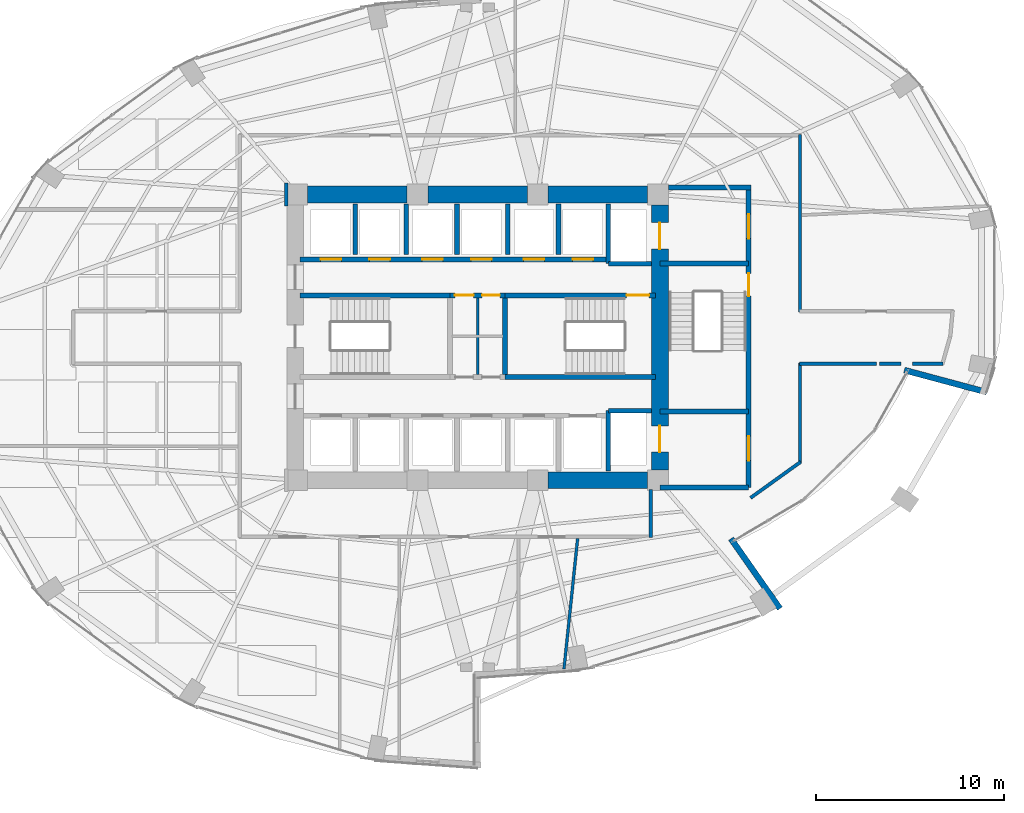
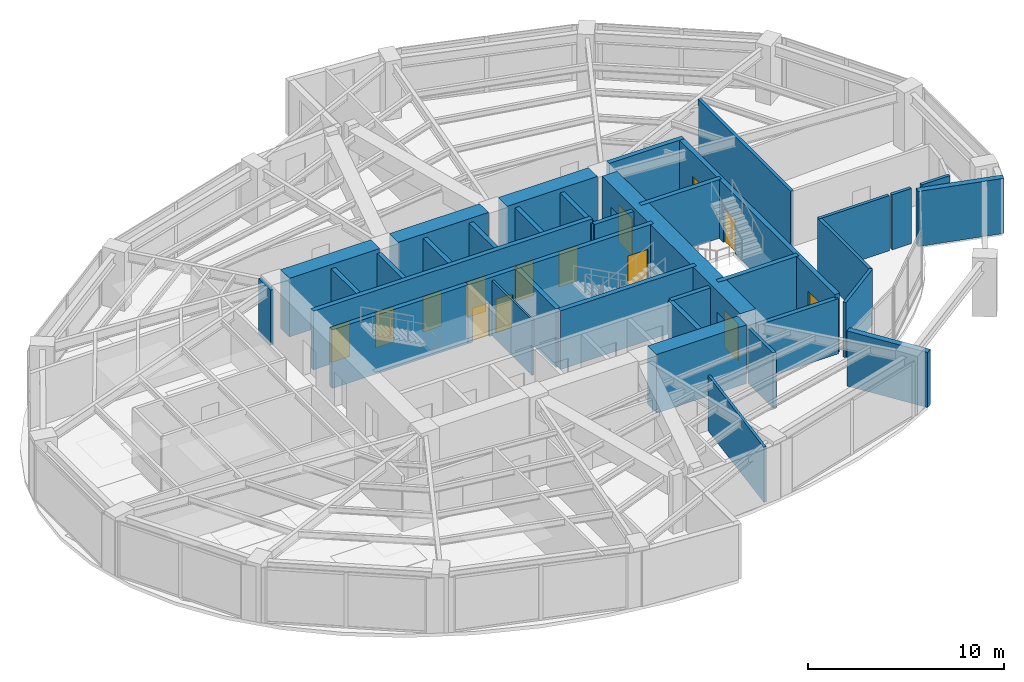
# One storey, part 21 of 24: 37 walls, 14 doors, 14 openings.
"""IFC4 building model written with IfcOpenShell, lengths in metres."""

import ifcopenshell
import ifcopenshell.guid

model = None  # the IFC model being written
_history = None  # IfcOwnerHistory: only IFC2X3 demands one
_inside = {}  # id of a spatial element -> (the spatial element, [elements in it])
_under = {}  # id of a project, library or spatial element -> (it, [spatial elements below it])
_declared = {}  # id of a project -> (the project, [libraries it declares])
_typed = {}  # id of a type object -> (the type object, [elements of that type])
_made_of = {}  # id of a material, layer set ... -> (it, [elements and type objects made of it])


def new_model(schema):
    """Start an empty IFC model of exactly this schema.

    Asked for "IFC4X3", IfcOpenShell would pick the latest addendum, in which some entities
    have other attributes; the version numbers below select the first issue.
    IFC2X3 requires an IfcOwnerHistory on every rooted entity: one is made here for all.
    """
    global model, _history
    if schema == "IFC4X3":
        model = ifcopenshell.file(schema_version=(4, 3, 0, 0))
    else:
        model = ifcopenshell.file(schema=schema)
    _inside.clear()
    _under.clear()
    _declared.clear()
    _typed.clear()
    _made_of.clear()
    _history = None
    if model.schema == "IFC2X3":
        org = make("IfcOrganization", Name="unknown")
        user = make(
            "IfcPersonAndOrganization",
            ThePerson=make("IfcPerson", FamilyName="unknown"),
            TheOrganization=org,
        )
        app = make(
            "IfcApplication",
            ApplicationDeveloper=org,
            Version="unknown",
            ApplicationFullName="unknown",
            ApplicationIdentifier="unknown",
        )
        _history = make(
            "IfcOwnerHistory",
            OwningUser=user,
            OwningApplication=app,
            ChangeAction="ADDED",
            CreationDate=0,
        )
    return model


def make(cls, **values):
    """One entity of the class cls with the attributes given. An attribute that is None is left unset."""
    return model.create_entity(
        cls, **{name: value for name, value in values.items() if value is not None}
    )


def rooted(cls, **values):
    """An entity with a GlobalId (a new one), such as an element, a storey or a relation."""
    return make(cls, GlobalId=ifcopenshell.guid.new(), OwnerHistory=_history, **values)


def si_unit(unit_type, name, prefix=None):
    """IfcSIUnit, for example si_unit("LENGTHUNIT", "METRE", prefix="MILLI")."""
    return make("IfcSIUnit", UnitType=unit_type, Prefix=prefix, Name=name)


def assignment(units):
    """IfcUnitAssignment: the units of a project."""
    return None if units is None else make("IfcUnitAssignment", Units=units)


def point(xyz):
    """IfcCartesianPoint."""
    return None if xyz is None else make("IfcCartesianPoint", Coordinates=xyz)


def direction(xyz):
    """IfcDirection."""
    return None if xyz is None else make("IfcDirection", DirectionRatios=xyz)


def frame(location, z_axis=None, x_axis=None):
    """IfcAxis2Placement3D, a coordinate frame: its origin and axes. An axis left out is left unset."""
    return make(
        "IfcAxis2Placement3D",
        Location=point(location),
        Axis=direction(z_axis),
        RefDirection=direction(x_axis),
    )


def frame_2d(location, x_axis=None):
    """IfcAxis2Placement2D, a coordinate frame in the plane: its origin and x axis."""
    return make(
        "IfcAxis2Placement2D", Location=point(location), RefDirection=direction(x_axis)
    )


def origin():
    """The frame at (0, 0, 0) with its axes left unset."""
    return frame((0.0, 0.0, 0.0))


def place(relative_to, where):
    """IfcLocalPlacement: puts the frame where relative to a parent placement (None: the world)."""
    return make(
        "IfcLocalPlacement", PlacementRelTo=relative_to, RelativePlacement=where
    )


def context(
    kind, dimensions, precision=None, world=None, true_north=None, identifier=None
):
    """IfcGeometricRepresentationContext, for example the 3D "Model" context."""
    return make(
        "IfcGeometricRepresentationContext",
        ContextIdentifier=identifier,
        ContextType=kind,
        CoordinateSpaceDimension=dimensions,
        Precision=precision,
        WorldCoordinateSystem=world,
        TrueNorth=true_north,
    )


def subcontext(parent, identifier, kind, view, scale=None):
    """IfcGeometricRepresentationSubContext, for example "Body" below "Model"."""
    return make(
        "IfcGeometricRepresentationSubContext",
        ContextIdentifier=identifier,
        ContextType=kind,
        ParentContext=parent,
        TargetScale=scale,
        TargetView=view,
    )


def project(units=None, contexts=None):
    """IfcProject with its units and contexts."""
    return rooted(
        "IfcProject",
        Name="project",
        RepresentationContexts=contexts,
        UnitsInContext=assignment(units),
    )


def spatial(cls, under=None, at=None, **own):
    """A site, building, storey or space (cls), placed at a placement, below another one or the project."""
    s = rooted(cls, ObjectPlacement=at, **own)
    if under is not None:
        _under.setdefault(under.id(), (under, []))[1].append(s)
    return s


def profile(cls, at=None, kind="AREA", **sizes):
    """A parametric profile (cls). Its sizes go by their IFC names, for example OverallWidth=200.0."""
    return make(cls, ProfileType=kind, Position=at, **sizes)


def rectangle(**sizes):
    """IfcRectangleProfileDef."""
    return profile("IfcRectangleProfileDef", **sizes)


def extrude(swept, where, along, depth):
    """IfcExtrudedAreaSolid: the profile swept, set in the frame where, extruded along a direction by depth."""
    return make(
        "IfcExtrudedAreaSolid",
        SweptArea=swept,
        Position=where,
        ExtrudedDirection=direction(along),
        Depth=depth,
    )


def shape(context_of_items, identifier, shape_type, items):
    """IfcShapeRepresentation: the items that make up one representation, for example the "Body"."""
    return make(
        "IfcShapeRepresentation",
        ContextOfItems=context_of_items,
        RepresentationIdentifier=identifier,
        RepresentationType=shape_type,
        Items=items,
    )


def material(Name=None, Category=None):
    """IfcMaterial."""
    return make("IfcMaterial", Name=Name, Category=Category)


def layer(
    of_material, thickness, ventilated=None, Name=None, Category=None, Priority=None
):
    """IfcMaterialLayer: one layer of a wall or slab, of a material (None: an air gap)."""
    return make(
        "IfcMaterialLayer",
        Material=of_material,
        LayerThickness=thickness,
        IsVentilated=ventilated,
        Name=Name,
        Category=Category,
        Priority=Priority,
    )


def layer_set(layers, Name=None):
    """IfcMaterialLayerSet."""
    return make("IfcMaterialLayerSet", MaterialLayers=layers, LayerSetName=Name)


def made_of(thing, what):
    """Note that an element or type object is made of a material, layer set ...; save() writes the relation."""
    if what is not None:
        _made_of.setdefault(what.id(), (what, []))[1].append(thing)
    return thing


def type_object(cls, material=None, **own):
    """A type object (cls), such as IfcWallType, which elements share."""
    return made_of(rooted(cls, **own), material)


def element(
    cls,
    number,
    at=None,
    inside=None,
    cuts=None,
    type_object=None,
    material=None,
    context=None,
    identifier="Body",
    shape_type=None,
    held_by="IfcProductDefinitionShape",
    body=None,
    shapes=None,
    **own,
):
    """One element of the class cls, such as IfcWall. Its Tag is "e" and its number.

    at: its placement. inside: the storey or other place that contains it. cuts: it is an
    opening in that element (IfcRelVoidsElement). A single representation is given by context,
    identifier, shape_type and body (its items); several are given by shapes. held_by: the class
    of the entity that holds the representations. save() writes the other relations.
    """
    e = rooted(cls, Tag="e%d" % number, ObjectPlacement=at, **own)
    if body is not None:
        shapes = [shape(context, identifier, shape_type, body)]
    if shapes is not None:
        e.Representation = make(held_by, Representations=shapes)
    if inside is not None:
        _inside.setdefault(inside.id(), (inside, []))[1].append(e)
    if cuts is not None:
        rooted(
            "IfcRelVoidsElement", RelatingBuildingElement=cuts, RelatedOpeningElement=e
        )
    if type_object is not None:
        _typed.setdefault(type_object.id(), (type_object, []))[1].append(e)
    return made_of(e, material)


def fill(opening, filler):
    """IfcRelFillsElement: the door or window that sits in an opening."""
    return rooted(
        "IfcRelFillsElement",
        RelatingOpeningElement=opening,
        RelatedBuildingElement=filler,
    )


def aggregate(whole, parts):
    """IfcRelAggregates: a whole, such as a stair, and the parts it consists of."""
    return rooted("IfcRelAggregates", RelatingObject=whole, RelatedObjects=parts)


def save(model, path):
    """Write the relations noted so far, then the file.

    IfcRelAggregates (storeys below a building ...), IfcRelContainedInSpatialStructure (elements
    in a storey), IfcRelDefinesByType, IfcRelAssociatesMaterial and IfcRelDeclares: one each for
    every whole, place, type object, material and project.
    """
    for whole, parts in _under.values():
        aggregate(whole, parts)
    for where, things in _inside.values():
        rooted(
            "IfcRelContainedInSpatialStructure",
            RelatedElements=things,
            RelatingStructure=where,
        )
    for kind, things in _typed.values():
        rooted("IfcRelDefinesByType", RelatedObjects=things, RelatingType=kind)
    for what, things in _made_of.values():
        rooted("IfcRelAssociatesMaterial", RelatedObjects=things, RelatingMaterial=what)
    for by, libraries in _declared.values():
        rooted("IfcRelDeclares", RelatingContext=by, RelatedDefinitions=libraries)
    model.write(path)


model = new_model("IFC4")

# Units and contexts
model_context = context("Model", 3, precision=1e-05, world=origin(), true_north=direction((0.0, 1.0)))
body_context = subcontext(model_context, "Body", "Model", "MODEL_VIEW")
ifc_project = project(units=[si_unit("LENGTHUNIT", "METRE"), si_unit("AREAUNIT", "SQUARE_METRE"), si_unit("VOLUMEUNIT", "CUBIC_METRE"), si_unit("PLANEANGLEUNIT", "RADIAN"), si_unit("MASSUNIT", "GRAM", prefix="KILO")], contexts=[model_context])

# Site, building, storey
site_placement = place(None, origin())
site = spatial("IfcSite", under=ifc_project, at=site_placement, CompositionType="ELEMENT")
building_placement = place(site_placement, origin())
building = spatial("IfcBuilding", under=site, at=building_placement, Name="Lazwardi Medical Tower", CompositionType="ELEMENT")
storey_placement = place(building_placement, frame((0.0, 0.0, 61.679931640625)))
storey = spatial("IfcBuildingStorey", under=building, at=storey_placement, Name="L15", CompositionType="ELEMENT", Elevation=61.679931640625)

# Walls
ifc_material_1 = material(Name="Fire-rated gypsum board on steel stud", Category="steel")
ifc_layer_1 = layer(ifc_material_1, 0.179931640625)
ifc_layer_set_1 = layer_set([ifc_layer_1], Name="Fire-rated gypsum board on steel stud")
wall_type_1 = type_object("IfcWallType", Name="WL-COR-180", PredefinedType="PARTITIONING", material=ifc_layer_set_1)
wall_1_placement = place(storey_placement, frame((53.14990234375, 38.7900390625, 0.0), z_axis=(0.0, 0.0, 1.0), x_axis=(0.0, -1.0, 0.0)))
element("IfcWall", 1, at=wall_1_placement, inside=storey, type_object=wall_type_1, Name="L15 Corridor partition 5", PredefinedType="PARTITIONING", context=body_context, shape_type="SweptSolid", body=[
    extrude(rectangle(XDim=9.429931640625, YDim=0.179931640625, at=frame_2d((4.71484375, 0.0))), origin(), (0.0, 0.0, 1.0), 3.427978515625),
])
wall_2_placement = place(storey_placement, frame((60.768310546875, 26.60009765625, 0.0), z_axis=(0.0, 0.0, 1.0), x_axis=(-1.0, 0.0, 0.0)))
element("IfcWall", 2, at=wall_2_placement, inside=storey, type_object=wall_type_1, Name="L15 Corridor partition 9", PredefinedType="PARTITIONING", context=body_context, shape_type="SweptSolid", body=[
    extrude(rectangle(XDim=1.643310546875, YDim=0.179931640625, at=frame_2d((0.82177734375, 0.0))), origin(), (0.0, 0.0, 1.0), 3.427978515625),
])
wall_3_placement = place(storey_placement, frame((58.523193359375, 26.60009765625, 0.0), z_axis=(0.0, 0.0, 1.0), x_axis=(-1.0, 0.0, 0.0)))
element("IfcWall", 3, at=wall_3_placement, inside=storey, type_object=wall_type_1, Name="L15 Corridor partition 10", PredefinedType="PARTITIONING", context=body_context, shape_type="SweptSolid", body=[
    extrude(rectangle(XDim=1.13671875, YDim=0.179931640625, at=frame_2d((0.568359375, 0.0))), origin(), (0.0, 0.0, 1.0), 3.427978515625),
])
wall_4_placement = place(storey_placement, frame((57.21337890625, 26.60009765625, 0.0), z_axis=(0.0, 0.0, 1.0), x_axis=(-1.0, 0.0, 0.0)))
element("IfcWall", 4, at=wall_4_placement, inside=storey, type_object=wall_type_1, Name="L15 Corridor partition 11", PredefinedType="PARTITIONING", context=body_context, shape_type="SweptSolid", body=[
    extrude(rectangle(XDim=4.103271484375, YDim=0.179931640625, at=frame_2d((2.0517578125, 0.0))), origin(), (0.0, 0.0, 1.0), 3.427978515625),
])
wall_5_placement = place(storey_placement, frame((53.14990234375, 26.639892578125, 0.0), z_axis=(0.0, 0.0, 1.0), x_axis=(0.0, -1.0, 0.0)))
element("IfcWall", 5, at=wall_5_placement, inside=storey, type_object=wall_type_1, Name="L15 Corridor partition 12", PredefinedType="PARTITIONING", context=body_context, shape_type="SweptSolid", body=[
    extrude(rectangle(XDim=5.327392578125, YDim=0.179931640625, at=frame_2d((2.66357421875, 0.0))), origin(), (0.0, 0.0, 1.0), 3.427978515625),
])
wall_6_placement = place(storey_placement, frame((53.1826171875, 21.3759765625, 0.0), z_axis=(0.0, 0.0, 1.0), x_axis=(-0.812151980909, -0.583445935717, 0.0)))
element("IfcWall", 6, at=wall_6_placement, inside=storey, type_object=wall_type_1, Name="L15 Corridor partition 13", PredefinedType="PARTITIONING", context=body_context, shape_type="SweptSolid", body=[
    extrude(rectangle(XDim=3.281494140625, YDim=0.179931640625, at=frame_2d((1.640625, 0.0))), origin(), (0.0, 0.0, 1.0), 3.427978515625),
])
wall_7_placement = place(storey_placement, frame((25.830078125, 36.2099609375, 0.0), z_axis=(0.0, 0.0, 1.0), x_axis=(0.0, -1.0, 0.0)))
element("IfcWall", 7, at=wall_7_placement, inside=storey, type_object=wall_type_1, Name="L15 Corridor partition 14", PredefinedType="PARTITIONING", context=body_context, shape_type="SweptSolid", body=[
    extrude(rectangle(XDim=1.219970703125, YDim=0.179931640625, at=frame_2d((0.60986328125, 0.0))), origin(), (0.0, 0.0, 1.0), 3.427978515625),
])
wall_8_placement = place(storey_placement, frame((45.199951171875, 19.909912109375, 0.0), z_axis=(0.0, 0.0, 1.0), x_axis=(0.0, -1.0, 0.0)))
element("IfcWall", 8, at=wall_8_placement, inside=storey, type_object=wall_type_1, Name="L15 Corridor partition 16", PredefinedType="PARTITIONING", context=body_context, shape_type="SweptSolid", body=[
    extrude(rectangle(XDim=2.5498046875, YDim=0.179931640625, at=frame_2d((1.27490234375, 0.0))), origin(), (0.0, 0.0, 1.0), 3.427978515625),
])

# Wall, openings, doors
ifc_material_2 = material(Name="Concrete C80/95", Category="concrete")
ifc_layer_2 = layer(ifc_material_2, 0.89990234375)
ifc_layer_set_2 = layer_set([ifc_layer_2], Name="Concrete C80/95")
wall_type_2 = type_object("IfcWallType", Name="WL-CORE-900", PredefinedType="SHEAR", material=ifc_layer_set_2)
wall_9_placement = place(storey_placement, frame((45.699951171875, 20.949951171875, 0.0), z_axis=(0.0, 0.0, 1.0), x_axis=(0.0, 1.0, 0.0)))
wall_9 = element("IfcWall", 9, at=wall_9_placement, inside=storey, type_object=wall_type_2, Name="Core wall CW-S1 east L15", PredefinedType="SHEAR", context=body_context, shape_type="SweptSolid", body=[
    extrude(rectangle(XDim=14.10009765625, YDim=0.89990234375, at=frame_2d((7.050048828125, 0.0))), origin(), (0.0, 0.0, 1.0), 3.64794921875),
])
opening_1_placement = place(wall_9_placement, frame((11.75, 0.0, 0.0)))
opening_1 = element("IfcOpeningElement", 10, at=opening_1_placement, cuts=wall_9, Name="Opening LD-L15-001", PredefinedType="OPENING", context=body_context, shape_type="SweptSolid", body=[
    extrude(rectangle(XDim=1.39990234375, YDim=2.300048828125, at=frame_2d((0.699951171875, 1.14990234375))), frame((0.0, 0.4599609375, 0.0), z_axis=(0.0, -1.0, 0.0), x_axis=(1.0, 0.0, 0.0)), (0.0, 0.0, 1.0), 0.919921875),
])
opening_2_placement = place(wall_9_placement, frame((0.949951171875, 0.0, 0.0)))
opening_2 = element("IfcOpeningElement", 11, at=opening_2_placement, cuts=wall_9, Name="Opening LD-L15-002", PredefinedType="OPENING", context=body_context, shape_type="SweptSolid", body=[
    extrude(rectangle(XDim=1.39990234375, YDim=2.300048828125, at=frame_2d((0.699951171875, 1.14990234375))), frame((0.0, 0.4599609375, 0.0), z_axis=(0.0, -1.0, 0.0), x_axis=(1.0, 0.0, 0.0)), (0.0, 0.0, 1.0), 0.919921875),
])
ifc_material_3 = material(Name="Brushed stainless steel bed-lift landing door", Category="steel")
door_type_1 = type_object("IfcDoorType", Name="DR-LFT-1400", OperationType="NOTDEFINED", PredefinedType="DOOR", material=ifc_material_3)
door_1_placement = place(opening_1_placement, origin())
door_1 = element("IfcDoor", 12, at=door_1_placement, inside=storey, type_object=door_type_1, Name="L15 Lift Landing Door FL-01", OperationType="SLIDING_TO_LEFT", OverallHeight=2.300048828125, OverallWidth=1.39990234375, PredefinedType="DOOR", context=body_context, shape_type="SweptSolid", body=[
    extrude(rectangle(XDim=1.39990234375, YDim=2.300048828125, at=frame_2d((0.699951171875, 1.14990234375))), frame((0.0, 0.02490234375, 0.0), z_axis=(0.0, -1.0, 0.0), x_axis=(1.0, 0.0, 0.0)), (0.0, 0.0, 1.0), 0.050048828125),
])
fill(opening_1, door_1)
door_2_placement = place(opening_2_placement, origin())
door_2 = element("IfcDoor", 13, at=door_2_placement, inside=storey, type_object=door_type_1, Name="L15 Lift Landing Door FL-02", OperationType="SLIDING_TO_LEFT", OverallHeight=2.300048828125, OverallWidth=1.39990234375, PredefinedType="DOOR", context=body_context, shape_type="SweptSolid", body=[
    extrude(rectangle(XDim=1.39990234375, YDim=2.300048828125, at=frame_2d((0.699951171875, 1.14990234375))), frame((0.0, 0.02490234375, 0.0), z_axis=(0.0, -1.0, 0.0), x_axis=(1.0, 0.0, 0.0)), (0.0, 0.0, 1.0), 0.050048828125),
])
fill(opening_2, door_2)

# Walls
wall_10_placement = place(storey_placement, frame((26.949951171875, 35.60009765625, 0.0), z_axis=(0.0, 0.0, 1.0), x_axis=(1.0, 0.0, 0.0)))
element("IfcWall", 14, at=wall_10_placement, inside=storey, type_object=wall_type_2, Name="Core wall CW-S1 N1 L15", PredefinedType="SHEAR", context=body_context, shape_type="SweptSolid", body=[
    extrude(rectangle(XDim=5.300048828125, YDim=0.89990234375, at=frame_2d((2.64990234375, 0.0))), origin(), (0.0, 0.0, 1.0), 3.64794921875),
])
wall_11_placement = place(storey_placement, frame((33.35009765625, 35.60009765625, 0.0), z_axis=(0.0, 0.0, 1.0), x_axis=(1.0, 0.0, 0.0)))
element("IfcWall", 15, at=wall_11_placement, inside=storey, type_object=wall_type_2, Name="Core wall CW-S1 N2 L15", PredefinedType="SHEAR", context=body_context, shape_type="SweptSolid", body=[
    extrude(rectangle(XDim=5.2998046875, YDim=0.89990234375, at=frame_2d((2.64990234375, 0.0))), origin(), (0.0, 0.0, 1.0), 3.64794921875),
])
for number, where, z_axis, x_axis, name in (
    (16, (39.75, 20.39990234375, 0.0), (0.0, 0.0, 1.0), (1.0, 0.0, 0.0), "Core wall CW-S1 S3 L15"),
    (17, (39.75, 35.60009765625, 0.0), (0.0, 0.0, 1.0), (1.0, 0.0, 0.0), "Core wall CW-S1 N3 L15"),
):
    element("IfcWall", number, at=place(storey_placement, frame(where, z_axis=z_axis, x_axis=x_axis)), inside=storey, type_object=wall_type_2, Name=name, PredefinedType="SHEAR", context=body_context, shape_type="SweptSolid", body=[
        extrude(rectangle(XDim=5.300048828125, YDim=0.89990234375, at=frame_2d((2.64990234375, 0.0))), origin(), (0.0, 0.0, 1.0), 3.64794921875),
    ])
ifc_material_4 = material(Name="Moisture-resistant gypsum board partition")
ifc_layer_3 = layer(ifc_material_4, 0.125)
ifc_layer_set_3 = layer_set([ifc_layer_3], Name="Moisture-resistant gypsum board partition")
wall_type_3 = type_object("IfcWallType", Name="WL-ENS-125", PredefinedType="PARTITIONING", material=ifc_layer_set_3)
wall_12_placement = place(storey_placement, frame((36.0, 26.02001953125, 0.0), z_axis=(0.0, 0.0, 1.0), x_axis=(0.0, 1.0, 0.0)))
element("IfcWall", 18, at=wall_12_placement, inside=storey, type_object=wall_type_3, Name="L15 Core 4-way V divider", PredefinedType="PARTITIONING", context=body_context, shape_type="SweptSolid", body=[
    extrude(rectangle(XDim=4.080078125, YDim=0.125, at=frame_2d((2.0400390625, 0.0))), origin(), (0.0, 0.0, 1.0), 3.427978515625),
])
ifc_material_5 = material(Name="Precast concrete C45/55", Category="concrete")
ifc_layer_4 = layer(ifc_material_5, 0.320068359375)
ifc_layer_set_4 = layer_set([ifc_layer_4], Name="Precast concrete C45/55")
wall_type_4 = type_object("IfcWallType", Name="WL-IWAN-320", PredefinedType="SOLIDWALL", material=ifc_layer_set_4)
wall_13_placement = place(storey_placement, frame((52.0830078125, 13.57470703125, 0.0), z_axis=(0.0, 0.0, 1.0), x_axis=(-0.573592269695, 0.819140957434, 0.0)))
element("IfcWall", 19, at=wall_13_placement, inside=storey, type_object=wall_type_4, Name="L15 Sky Garden SG1 Flank Wall S0", PredefinedType="SOLIDWALL", context=body_context, shape_type="SweptSolid", body=[
    extrude(rectangle(XDim=4.539794921875, YDim=0.320068359375, at=frame_2d((2.27001953125, 0.0))), origin(), (0.0, 0.0, 1.0), 3.427978515625),
])
wall_14_placement = place(storey_placement, frame((63.084716796875, 25.083984375, 0.0), z_axis=(0.0, 0.0, 1.0), x_axis=(-0.965941571447, 0.258760276223, 0.0)))
element("IfcWall", 20, at=wall_14_placement, inside=storey, type_object=wall_type_4, Name="L15 Sky Garden SG1 Flank Wall S1", PredefinedType="SOLIDWALL", context=body_context, shape_type="SweptSolid", body=[
    extrude(rectangle(XDim=4.5400390625, YDim=0.320068359375, at=frame_2d((2.27001953125, 0.0))), origin(), (0.0, 0.0, 1.0), 3.427978515625),
])
ifc_material_6 = material(Name="Autoclaved aerated concrete blockwork", Category="masonry")
ifc_layer_5 = layer(ifc_material_6, 0.25)
ifc_layer_set_5 = layer_set([ifc_layer_5], Name="Autoclaved aerated concrete blockwork")
wall_type_5 = type_object("IfcWallType", Name="WL-SHAFT-250", PredefinedType="SOLIDWALL", material=ifc_layer_set_5)
wall_15_placement = place(storey_placement, frame((42.949951171875, 31.919921875, 0.0), z_axis=(0.0, 0.0, 1.0), x_axis=(0.0, 1.0, 0.0)))
element("IfcWall", 21, at=wall_15_placement, inside=storey, type_object=wall_type_5, Name="L15 FL-01 West shaft wall", PredefinedType="SOLIDWALL", context=body_context, shape_type="SweptSolid", body=[
    extrude(rectangle(XDim=3.18017578125, YDim=0.25, at=frame_2d((1.590087890625, 0.0))), origin(), (0.0, 0.0, 1.0), 3.427978515625),
])
wall_16_placement = place(storey_placement, frame((42.949951171875, 31.919921875, 0.0), z_axis=(0.0, 0.0, 1.0), x_axis=(1.0, 0.0, 0.0)))
element("IfcWall", 22, at=wall_16_placement, inside=storey, type_object=wall_type_5, Name="L15 FL-01 South shaft wall", PredefinedType="SOLIDWALL", context=body_context, shape_type="SweptSolid", body=[
    extrude(rectangle(XDim=2.300048828125, YDim=0.25, at=frame_2d((1.14990234375, 0.0))), origin(), (0.0, 0.0, 1.0), 3.427978515625),
])
wall_17_placement = place(storey_placement, frame((42.949951171875, 20.89990234375, 0.0), z_axis=(0.0, 0.0, 1.0), x_axis=(0.0, 1.0, 0.0)))
element("IfcWall", 23, at=wall_17_placement, inside=storey, type_object=wall_type_5, Name="L15 FL-02 West shaft wall", PredefinedType="SOLIDWALL", context=body_context, shape_type="SweptSolid", body=[
    extrude(rectangle(XDim=3.2001953125, YDim=0.25, at=frame_2d((1.60009765625, 0.0))), origin(), (0.0, 0.0, 1.0), 3.427978515625),
])
wall_18_placement = place(storey_placement, frame((42.949951171875, 24.10009765625, 0.0), z_axis=(0.0, 0.0, 1.0), x_axis=(1.0, 0.0, 0.0)))
element("IfcWall", 24, at=wall_18_placement, inside=storey, type_object=wall_type_5, Name="L15 FL-02 North shaft wall", PredefinedType="SOLIDWALL", context=body_context, shape_type="SweptSolid", body=[
    extrude(rectangle(XDim=2.300048828125, YDim=0.25, at=frame_2d((1.14990234375, 0.0))), origin(), (0.0, 0.0, 1.0), 3.427978515625),
])
for number, where, z_axis, x_axis, name in (
    (25, (29.5, 32.419921875, 0.0), (0.0, 0.0, 1.0), (0.0, 1.0, 0.0), "L15 North hoistway divider"),
    (26, (32.199951171875, 32.419921875, 0.0), (0.0, 0.0, 1.0), (0.0, 1.0, 0.0), "L15 North hoistway divider"),
    (27, (34.89990234375, 32.419921875, 0.0), (0.0, 0.0, 1.0), (0.0, 1.0, 0.0), "L15 North hoistway divider"),
    (28, (37.60009765625, 32.419921875, 0.0), (0.0, 0.0, 1.0), (0.0, 1.0, 0.0), "L15 North hoistway divider"),
    (29, (40.300048828125, 32.419921875, 0.0), (0.0, 0.0, 1.0), (0.0, 1.0, 0.0), "L15 North hoistway divider"),
):
    element("IfcWall", number, at=place(storey_placement, frame(where, z_axis=z_axis, x_axis=x_axis)), inside=storey, type_object=wall_type_5, Name=name, PredefinedType="SOLIDWALL", context=body_context, shape_type="SweptSolid", body=[
        extrude(rectangle(XDim=2.68017578125, YDim=0.25, at=frame_2d((1.340087890625, 0.0))), origin(), (0.0, 0.0, 1.0), 3.427978515625),
    ])
wall_19_placement = place(storey_placement, frame((45.699951171875, 20.02001953125, 0.0), z_axis=(0.0, 0.0, 1.0), x_axis=(1.0, 0.0, 0.0)))
element("IfcWall", 30, at=wall_19_placement, inside=storey, type_object=wall_type_5, Name="L15 FFL-S South wall", PredefinedType="SOLIDWALL", context=body_context, shape_type="SweptSolid", body=[
    extrude(rectangle(XDim=4.715087890625, YDim=0.25, at=frame_2d((2.357421875, 0.0))), origin(), (0.0, 0.0, 1.0), 3.427978515625),
])
ifc_material_7 = material(Name="Concrete C50/60", Category="concrete")
ifc_layer_6 = layer(ifc_material_7, 0.27001953125)
ifc_layer_set_6 = layer_set([ifc_layer_6], Name="Concrete C50/60")
wall_type_6 = type_object("IfcWallType", Name="WL-STR-250", PredefinedType="SHEAR", material=ifc_layer_set_6)
wall_20_placement = place(storey_placement, frame((26.550048828125, 30.235107421875, 0.0), z_axis=(0.0, 0.0, 1.0), x_axis=(1.0, 0.0, 0.0)))
element("IfcWall", 31, at=wall_20_placement, inside=storey, type_object=wall_type_6, Name="L15 ST1 North shear shaft wall SW-S1", PredefinedType="SHEAR", context=body_context, shape_type="SweptSolid", body=[
    extrude(rectangle(XDim=7.98486328125, YDim=0.27001953125, at=frame_2d((3.992431640625, 0.0))), origin(), (0.0, 0.0, 1.0), 3.64794921875),
])

# Wall, openings, doors
wall_21_placement = place(storey_placement, frame((34.534912109375, 30.235107421875, 0.0), z_axis=(0.0, 0.0, 1.0), x_axis=(1.0, 0.0, 0.0)))
wall_21 = element("IfcWall", 32, at=wall_21_placement, inside=storey, type_object=wall_type_6, Name="L15 Core service North shear wall SW-S1", PredefinedType="SHEAR", context=body_context, shape_type="SweptSolid", body=[
    extrude(rectangle(XDim=2.93017578125, YDim=0.27001953125, at=frame_2d((1.465087890625, 0.0))), origin(), (0.0, 0.0, 1.0), 3.64794921875),
])
opening_3_placement = place(wall_21_placement, frame((0.2548828125, 0.0, 0.0)))
opening_3 = element("IfcOpeningElement", 33, at=opening_3_placement, cuts=wall_21, Name="Opening D-L15-003", PredefinedType="OPENING", context=body_context, shape_type="SweptSolid", body=[
    extrude(rectangle(XDim=1.0, YDim=2.10009765625, at=frame_2d((0.5, 1.050048828125))), frame((0.0, 0.14501953125, 0.0), z_axis=(0.0, -1.0, 0.0), x_axis=(1.0, 0.0, 0.0)), (0.0, 0.0, 1.0), 0.2900390625),
])
opening_4_placement = place(wall_21_placement, frame((1.699951171875, 0.0, 0.0)))
opening_4 = element("IfcOpeningElement", 34, at=opening_4_placement, cuts=wall_21, Name="Opening D-L15-004", PredefinedType="OPENING", context=body_context, shape_type="SweptSolid", body=[
    extrude(rectangle(XDim=0.949951171875, YDim=2.10009765625, at=frame_2d((0.47509765625, 1.050048828125))), frame((0.0, 0.14501953125, 0.0), z_axis=(0.0, -1.0, 0.0), x_axis=(1.0, 0.0, 0.0)), (0.0, 0.0, 1.0), 0.2900390625),
])
ifc_material_8 = material(Name="Moisture-resistant laminate door leaf")
door_type_2 = type_object("IfcDoorType", Name="DR-AWC-1000", OperationType="NOTDEFINED", PredefinedType="DOOR", material=ifc_material_8)
door_3_placement = place(opening_3_placement, origin())
door_3 = element("IfcDoor", 35, at=door_3_placement, inside=storey, type_object=door_type_2, Name="L15 Accessible WC Door", OperationType="SINGLE_SWING_LEFT", OverallHeight=2.10009765625, OverallWidth=1.0, PredefinedType="DOOR", context=body_context, shape_type="SweptSolid", body=[
    extrude(rectangle(XDim=1.0, YDim=2.10009765625, at=frame_2d((0.5, 1.050048828125))), frame((0.0, 0.02490234375, 0.0), z_axis=(0.0, -1.0, 0.0), x_axis=(1.0, 0.0, 0.0)), (0.0, 0.0, 1.0), 0.050048828125),
])
fill(opening_3, door_3)
door_type_3 = type_object("IfcDoorType", Name="DR-ENS-950", OperationType="NOTDEFINED", PredefinedType="DOOR", material=ifc_material_8)
door_4_placement = place(opening_4_placement, origin())
door_4 = element("IfcDoor", 36, at=door_4_placement, inside=storey, type_object=door_type_3, Name="L15 Clean Utility Door", OperationType="SINGLE_SWING_RIGHT", OverallHeight=2.10009765625, OverallWidth=0.949951171875, PredefinedType="DOOR", context=body_context, shape_type="SweptSolid", body=[
    extrude(rectangle(XDim=0.949951171875, YDim=2.10009765625, at=frame_2d((0.47509765625, 1.050048828125))), frame((0.0, 0.02490234375, 0.0), z_axis=(0.0, -1.0, 0.0), x_axis=(1.0, 0.0, 0.0)), (0.0, 0.0, 1.0), 0.050048828125),
])
fill(opening_4, door_4)

# Wall, opening, door
wall_22_placement = place(storey_placement, frame((37.465087890625, 30.235107421875, 0.0), z_axis=(0.0, 0.0, 1.0), x_axis=(1.0, 0.0, 0.0)))
wall_22 = element("IfcWall", 37, at=wall_22_placement, inside=storey, type_object=wall_type_6, Name="L15 ST2 North shear shaft wall SW-S1", PredefinedType="SHEAR", context=body_context, shape_type="SweptSolid", body=[
    extrude(rectangle(XDim=7.98486328125, YDim=0.27001953125, at=frame_2d((3.992431640625, 0.0))), origin(), (0.0, 0.0, 1.0), 3.64794921875),
])
opening_5_placement = place(wall_22_placement, frame((6.455078125, 0.0, 0.0)))
opening_5 = element("IfcOpeningElement", 38, at=opening_5_placement, cuts=wall_22, Name="Opening D-L15-018", PredefinedType="OPENING", context=body_context, shape_type="SweptSolid", body=[
    extrude(rectangle(XDim=1.199951171875, YDim=2.14990234375, at=frame_2d((0.60009765625, 1.074951171875))), frame((0.0, 0.14501953125, 0.0), z_axis=(0.0, -1.0, 0.0), x_axis=(1.0, 0.0, 0.0)), (0.0, 0.0, 1.0), 0.2900390625),
])
ifc_material_9 = material(Name="Fire-rated steel leaf and frame", Category="steel")
door_type_4 = type_object("IfcDoorType", Name="DR-STR-1200", OperationType="NOTDEFINED", PredefinedType="DOOR", material=ifc_material_9)
door_5_placement = place(opening_5_placement, origin())
door_5 = element("IfcDoor", 39, at=door_5_placement, inside=storey, type_object=door_type_4, Name="L15 Exit Stair ST2 Door", OperationType="SINGLE_SWING_RIGHT", OverallHeight=2.14990234375, OverallWidth=1.199951171875, PredefinedType="DOOR", context=body_context, shape_type="SweptSolid", body=[
    extrude(rectangle(XDim=1.199951171875, YDim=2.14990234375, at=frame_2d((0.60009765625, 1.074951171875))), frame((0.0, 0.02490234375, 0.0), z_axis=(0.0, -1.0, 0.0), x_axis=(1.0, 0.0, 0.0)), (0.0, 0.0, 1.0), 0.050048828125),
])
fill(opening_5, door_5)

# Walls
wall_23_placement = place(storey_placement, frame((37.465087890625, 25.885009765625, 0.0), z_axis=(0.0, 0.0, 1.0), x_axis=(1.0, 0.0, 0.0)))
element("IfcWall", 40, at=wall_23_placement, inside=storey, type_object=wall_type_6, Name="L15 ST2 South shear shaft wall SW-S1", PredefinedType="SHEAR", context=body_context, shape_type="SweptSolid", body=[
    extrude(rectangle(XDim=7.98486328125, YDim=0.27001953125, at=frame_2d((3.992431640625, 0.0))), origin(), (0.0, 0.0, 1.0), 3.64794921875),
])
wall_24_placement = place(storey_placement, frame((37.465087890625, 26.02001953125, 0.0), z_axis=(0.0, 0.0, 1.0), x_axis=(0.0, 1.0, 0.0)))
element("IfcWall", 41, at=wall_24_placement, inside=storey, type_object=wall_type_6, Name="L15 ST2 West shear shaft wall SW-S1", PredefinedType="SHEAR", context=body_context, shape_type="SweptSolid", body=[
    extrude(rectangle(XDim=4.080078125, YDim=0.27001953125, at=frame_2d((2.0400390625, 0.0))), origin(), (0.0, 0.0, 1.0), 3.64794921875),
])

# Wall, openings, doors
wall_25_placement = place(storey_placement, frame((26.550048828125, 32.14990234375, 0.0), z_axis=(0.0, 0.0, 1.0), x_axis=(1.0, 0.0, 0.0)))
wall_25 = element("IfcWall", 42, at=wall_25_placement, inside=storey, type_object=wall_type_6, Name="L15 North lift bank shear wall SW-S1", PredefinedType="SHEAR", context=body_context, shape_type="SweptSolid", body=[
    extrude(rectangle(XDim=16.39990234375, YDim=0.27001953125, at=frame_2d((8.199951171875, 0.0))), origin(), (0.0, 0.0, 1.0), 3.64794921875),
])
opening_6_placement = place(wall_25_placement, frame((1.10009765625, 0.0, 0.0)))
opening_6 = element("IfcOpeningElement", 43, at=opening_6_placement, cuts=wall_25, Name="Opening LD-L15-004", PredefinedType="OPENING", context=body_context, shape_type="SweptSolid", body=[
    extrude(rectangle(XDim=1.10009765625, YDim=2.199951171875, at=frame_2d((0.550048828125, 1.10009765625))), frame((0.0, 0.14501953125, 0.0), z_axis=(0.0, -1.0, 0.0), x_axis=(1.0, 0.0, 0.0)), (0.0, 0.0, 1.0), 0.2900390625),
])
opening_7_placement = place(wall_25_placement, frame((3.699951171875, 0.0, 0.0)))
opening_7 = element("IfcOpeningElement", 44, at=opening_7_placement, cuts=wall_25, Name="Opening LD-L15-005", PredefinedType="OPENING", context=body_context, shape_type="SweptSolid", body=[
    extrude(rectangle(XDim=1.10009765625, YDim=2.199951171875, at=frame_2d((0.550048828125, 1.10009765625))), frame((0.0, 0.14501953125, 0.0), z_axis=(0.0, -1.0, 0.0), x_axis=(1.0, 0.0, 0.0)), (0.0, 0.0, 1.0), 0.2900390625),
])
opening_8_placement = place(wall_25_placement, frame((6.5, 0.0, 0.0)))
opening_8 = element("IfcOpeningElement", 45, at=opening_8_placement, cuts=wall_25, Name="Opening LD-L15-008", PredefinedType="OPENING", context=body_context, shape_type="SweptSolid", body=[
    extrude(rectangle(XDim=1.10009765625, YDim=2.199951171875, at=frame_2d((0.550048828125, 1.10009765625))), frame((0.0, 0.14501953125, 0.0), z_axis=(0.0, -1.0, 0.0), x_axis=(1.0, 0.0, 0.0)), (0.0, 0.0, 1.0), 0.2900390625),
])
opening_9_placement = place(wall_25_placement, frame((9.10009765625, 0.0, 0.0)))
opening_9 = element("IfcOpeningElement", 46, at=opening_9_placement, cuts=wall_25, Name="Opening LD-L15-009", PredefinedType="OPENING", context=body_context, shape_type="SweptSolid", body=[
    extrude(rectangle(XDim=1.10009765625, YDim=2.199951171875, at=frame_2d((0.550048828125, 1.10009765625))), frame((0.0, 0.14501953125, 0.0), z_axis=(0.0, -1.0, 0.0), x_axis=(1.0, 0.0, 0.0)), (0.0, 0.0, 1.0), 0.2900390625),
])
opening_10_placement = place(wall_25_placement, frame((11.89990234375, 0.0, 0.0)))
opening_10 = element("IfcOpeningElement", 47, at=opening_10_placement, cuts=wall_25, Name="Opening LD-L15-012", PredefinedType="OPENING", context=body_context, shape_type="SweptSolid", body=[
    extrude(rectangle(XDim=1.10009765625, YDim=2.199951171875, at=frame_2d((0.550048828125, 1.10009765625))), frame((0.0, 0.14501953125, 0.0), z_axis=(0.0, -1.0, 0.0), x_axis=(1.0, 0.0, 0.0)), (0.0, 0.0, 1.0), 0.2900390625),
])
opening_11_placement = place(wall_25_placement, frame((14.5, 0.0, 0.0)))
opening_11 = element("IfcOpeningElement", 48, at=opening_11_placement, cuts=wall_25, Name="Opening LD-L15-013", PredefinedType="OPENING", context=body_context, shape_type="SweptSolid", body=[
    extrude(rectangle(XDim=1.10009765625, YDim=2.199951171875, at=frame_2d((0.550048828125, 1.10009765625))), frame((0.0, 0.14501953125, 0.0), z_axis=(0.0, -1.0, 0.0), x_axis=(1.0, 0.0, 0.0)), (0.0, 0.0, 1.0), 0.2900390625),
])
ifc_material_10 = material(Name="Brushed bronze stainless steel landing door", Category="steel")
door_type_5 = type_object("IfcDoorType", Name="DR-LFT-1100", OperationType="NOTDEFINED", PredefinedType="DOOR", material=ifc_material_10)
door_6_placement = place(opening_6_placement, origin())
door_6 = element("IfcDoor", 49, at=door_6_placement, inside=storey, type_object=door_type_5, Name="L15 Lift Landing Door PL-01", OperationType="SLIDING_TO_LEFT", OverallHeight=2.199951171875, OverallWidth=1.10009765625, PredefinedType="DOOR", context=body_context, shape_type="SweptSolid", body=[
    extrude(rectangle(XDim=1.10009765625, YDim=2.199951171875, at=frame_2d((0.550048828125, 1.10009765625))), frame((0.0, 0.02490234375, 0.0), z_axis=(0.0, -1.0, 0.0), x_axis=(1.0, 0.0, 0.0)), (0.0, 0.0, 1.0), 0.050048828125),
])
fill(opening_6, door_6)
door_7_placement = place(opening_7_placement, origin())
door_7 = element("IfcDoor", 50, at=door_7_placement, inside=storey, type_object=door_type_5, Name="L15 Lift Landing Door PL-02", OperationType="SLIDING_TO_LEFT", OverallHeight=2.199951171875, OverallWidth=1.10009765625, PredefinedType="DOOR", context=body_context, shape_type="SweptSolid", body=[
    extrude(rectangle(XDim=1.10009765625, YDim=2.199951171875, at=frame_2d((0.550048828125, 1.10009765625))), frame((0.0, 0.02490234375, 0.0), z_axis=(0.0, -1.0, 0.0), x_axis=(1.0, 0.0, 0.0)), (0.0, 0.0, 1.0), 0.050048828125),
])
fill(opening_7, door_7)
door_8_placement = place(opening_8_placement, origin())
door_8 = element("IfcDoor", 51, at=door_8_placement, inside=storey, type_object=door_type_5, Name="L15 Lift Landing Door PL-05", OperationType="SLIDING_TO_LEFT", OverallHeight=2.199951171875, OverallWidth=1.10009765625, PredefinedType="DOOR", context=body_context, shape_type="SweptSolid", body=[
    extrude(rectangle(XDim=1.10009765625, YDim=2.199951171875, at=frame_2d((0.550048828125, 1.10009765625))), frame((0.0, 0.02490234375, 0.0), z_axis=(0.0, -1.0, 0.0), x_axis=(1.0, 0.0, 0.0)), (0.0, 0.0, 1.0), 0.050048828125),
])
fill(opening_8, door_8)
door_9_placement = place(opening_9_placement, origin())
door_9 = element("IfcDoor", 52, at=door_9_placement, inside=storey, type_object=door_type_5, Name="L15 Lift Landing Door PL-06", OperationType="SLIDING_TO_LEFT", OverallHeight=2.199951171875, OverallWidth=1.10009765625, PredefinedType="DOOR", context=body_context, shape_type="SweptSolid", body=[
    extrude(rectangle(XDim=1.10009765625, YDim=2.199951171875, at=frame_2d((0.550048828125, 1.10009765625))), frame((0.0, 0.02490234375, 0.0), z_axis=(0.0, -1.0, 0.0), x_axis=(1.0, 0.0, 0.0)), (0.0, 0.0, 1.0), 0.050048828125),
])
fill(opening_9, door_9)
door_10_placement = place(opening_10_placement, origin())
door_10 = element("IfcDoor", 53, at=door_10_placement, inside=storey, type_object=door_type_5, Name="L15 Lift Landing Door PL-09", OperationType="SLIDING_TO_LEFT", OverallHeight=2.199951171875, OverallWidth=1.10009765625, PredefinedType="DOOR", context=body_context, shape_type="SweptSolid", body=[
    extrude(rectangle(XDim=1.10009765625, YDim=2.199951171875, at=frame_2d((0.550048828125, 1.10009765625))), frame((0.0, 0.02490234375, 0.0), z_axis=(0.0, -1.0, 0.0), x_axis=(1.0, 0.0, 0.0)), (0.0, 0.0, 1.0), 0.050048828125),
])
fill(opening_10, door_10)
door_11_placement = place(opening_11_placement, origin())
door_11 = element("IfcDoor", 54, at=door_11_placement, inside=storey, type_object=door_type_5, Name="L15 Lift Landing Door PL-10", OperationType="SLIDING_TO_LEFT", OverallHeight=2.199951171875, OverallWidth=1.10009765625, PredefinedType="DOOR", context=body_context, shape_type="SweptSolid", body=[
    extrude(rectangle(XDim=1.10009765625, YDim=2.199951171875, at=frame_2d((0.550048828125, 1.10009765625))), frame((0.0, 0.02490234375, 0.0), z_axis=(0.0, -1.0, 0.0), x_axis=(1.0, 0.0, 0.0)), (0.0, 0.0, 1.0), 0.050048828125),
])
fill(opening_11, door_11)

wall_26_placement = place(storey_placement, frame((50.4150390625, 35.844970703125, 0.0), z_axis=(0.0, 0.0, 1.0), x_axis=(0.0, -1.0, 0.0)))
wall_26 = element("IfcWall", 55, at=wall_26_placement, inside=storey, type_object=wall_type_6, Name="L15 East ST3 & FFL shear wall SW-S1", PredefinedType="SHEAR", context=body_context, shape_type="SweptSolid", body=[
    extrude(rectangle(XDim=15.824951171875, YDim=0.27001953125, at=frame_2d((7.91259765625, 0.0))), origin(), (0.0, 0.0, 1.0), 3.64794921875),
])
opening_12_placement = place(wall_26_placement, frame((4.445068359375, 0.0, 0.0)))
opening_12 = element("IfcOpeningElement", 56, at=opening_12_placement, cuts=wall_26, Name="Opening D-L15-019", PredefinedType="OPENING", context=body_context, shape_type="SweptSolid", body=[
    extrude(rectangle(XDim=1.199951171875, YDim=2.14990234375, at=frame_2d((0.60009765625, 1.074951171875))), frame((0.0, 0.14501953125, 0.0), z_axis=(0.0, -1.0, 0.0), x_axis=(1.0, 0.0, 0.0)), (0.0, 0.0, 1.0), 0.2900390625),
])
opening_13_placement = place(wall_26_placement, frame((1.294921875, 0.0, 0.0)))
opening_13 = element("IfcOpeningElement", 57, at=opening_13_placement, cuts=wall_26, Name="Opening D-L15-005", PredefinedType="OPENING", context=body_context, shape_type="SweptSolid", body=[
    extrude(rectangle(XDim=1.300048828125, YDim=2.199951171875, at=frame_2d((0.64990234375, 1.10009765625))), frame((0.0, 0.14501953125, 0.0), z_axis=(0.0, -1.0, 0.0), x_axis=(1.0, 0.0, 0.0)), (0.0, 0.0, 1.0), 0.2900390625),
])
opening_14_placement = place(wall_26_placement, frame((13.094970703125, 0.0, 0.0)))
opening_14 = element("IfcOpeningElement", 58, at=opening_14_placement, cuts=wall_26, Name="Opening D-L15-006", PredefinedType="OPENING", context=body_context, shape_type="SweptSolid", body=[
    extrude(rectangle(XDim=1.300048828125, YDim=2.199951171875, at=frame_2d((0.64990234375, 1.10009765625))), frame((0.0, 0.14501953125, 0.0), z_axis=(0.0, -1.0, 0.0), x_axis=(1.0, 0.0, 0.0)), (0.0, 0.0, 1.0), 0.2900390625),
])
door_type_6 = type_object("IfcDoorType", Name="DR-FFL-1300", OperationType="NOTDEFINED", PredefinedType="DOOR", material=ifc_material_9)
door_12_placement = place(opening_13_placement, origin())
door_12 = element("IfcDoor", 59, at=door_12_placement, inside=storey, type_object=door_type_6, Name="L15 Fire-Fighting Lobby North Door", OperationType="SINGLE_SWING_RIGHT", OverallHeight=2.199951171875, OverallWidth=1.300048828125, PredefinedType="DOOR", context=body_context, shape_type="SweptSolid", body=[
    extrude(rectangle(XDim=1.300048828125, YDim=2.199951171875, at=frame_2d((0.64990234375, 1.10009765625))), frame((0.0, 0.02490234375, 0.0), z_axis=(0.0, -1.0, 0.0), x_axis=(1.0, 0.0, 0.0)), (0.0, 0.0, 1.0), 0.050048828125),
])
fill(opening_13, door_12)
door_13_placement = place(opening_14_placement, origin())
door_13 = element("IfcDoor", 60, at=door_13_placement, inside=storey, type_object=door_type_6, Name="L15 Fire-Fighting Lobby South Door", OperationType="SINGLE_SWING_LEFT", OverallHeight=2.199951171875, OverallWidth=1.300048828125, PredefinedType="DOOR", context=body_context, shape_type="SweptSolid", body=[
    extrude(rectangle(XDim=1.300048828125, YDim=2.199951171875, at=frame_2d((0.64990234375, 1.10009765625))), frame((0.0, 0.02490234375, 0.0), z_axis=(0.0, -1.0, 0.0), x_axis=(1.0, 0.0, 0.0)), (0.0, 0.0, 1.0), 0.050048828125),
])
fill(opening_14, door_13)
door_14_placement = place(opening_12_placement, origin())
door_14 = element("IfcDoor", 61, at=door_14_placement, inside=storey, type_object=door_type_4, Name="L15 Exit Stair ST3 Door", OperationType="SINGLE_SWING_LEFT", OverallHeight=2.14990234375, OverallWidth=1.199951171875, PredefinedType="DOOR", context=body_context, shape_type="SweptSolid", body=[
    extrude(rectangle(XDim=1.199951171875, YDim=2.14990234375, at=frame_2d((0.60009765625, 1.074951171875))), frame((0.0, 0.02490234375, 0.0), z_axis=(0.0, -1.0, 0.0), x_axis=(1.0, 0.0, 0.0)), (0.0, 0.0, 1.0), 0.050048828125),
])
fill(opening_12, door_14)

# Walls
wall_27_placement = place(storey_placement, frame((46.14990234375, 35.97998046875, 0.0), z_axis=(0.0, 0.0, 1.0), x_axis=(1.0, 0.0, 0.0)))
element("IfcWall", 62, at=wall_27_placement, inside=storey, type_object=wall_type_6, Name="L15 FFL-N North shear wall SW-S1", PredefinedType="SHEAR", context=body_context, shape_type="SweptSolid", body=[
    extrude(rectangle(XDim=4.400146484375, YDim=0.27001953125, at=frame_2d((2.2001953125, 0.0))), origin(), (0.0, 0.0, 1.0), 3.64794921875),
])
for number, where, z_axis, x_axis, name in (
    (63, (45.699951171875, 31.93505859375, 0.0), (0.0, 0.0, 1.0), (1.0, 0.0, 0.0), "L15 ST3 North shear shaft wall SW-S1"),
    (64, (45.699951171875, 24.06494140625, 0.0), (0.0, 0.0, 1.0), (1.0, 0.0, 0.0), "L15 ST3 South shear shaft wall SW-S1"),
):
    element("IfcWall", number, at=place(storey_placement, frame(where, z_axis=z_axis, x_axis=x_axis)), inside=storey, type_object=wall_type_6, Name=name, PredefinedType="SHEAR", context=body_context, shape_type="SweptSolid", body=[
        extrude(rectangle(XDim=4.715087890625, YDim=0.27001953125, at=frame_2d((2.357421875, 0.0))), origin(), (0.0, 0.0, 1.0), 3.64794921875),
    ])
ifc_material_11 = material(Name="Acoustic gypsum board partition")
ifc_layer_7 = layer(ifc_material_11, 0.14990234375)
ifc_layer_set_7 = layer_set([ifc_layer_7], Name="Acoustic gypsum board partition")
wall_type_7 = type_object("IfcWallType", Name="WL-WRD-150", PredefinedType="PARTITIONING", material=ifc_layer_set_7)
wall_28_placement = place(storey_placement, frame((40.594970703125, 10.35888671875, 0.0), z_axis=(0.0, 0.0, 1.0), x_axis=(0.104057453244, 0.994571287754, 0.0)))
element("IfcWall", 65, at=wall_28_placement, inside=storey, type_object=wall_type_7, Name="L15 Room partition 8", PredefinedType="PARTITIONING", context=body_context, shape_type="SweptSolid", body=[
    extrude(rectangle(XDim=6.9892578125, YDim=0.14990234375, at=frame_2d((3.49462890625, 0.0))), origin(), (0.0, 0.0, 1.0), 3.427978515625),
])

save(model, "model.ifc")
